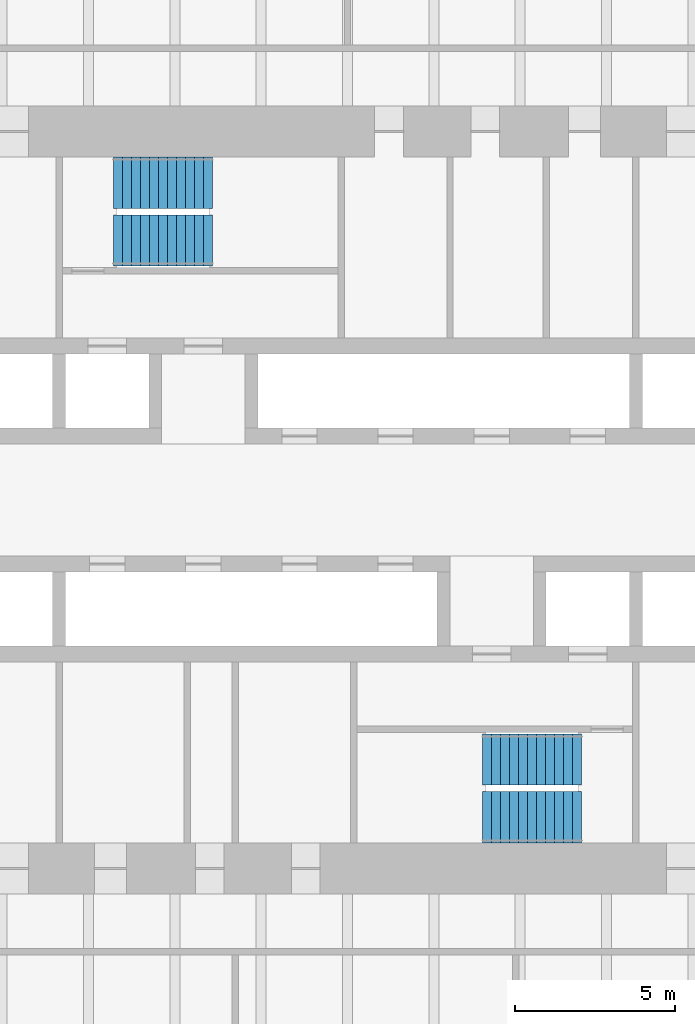
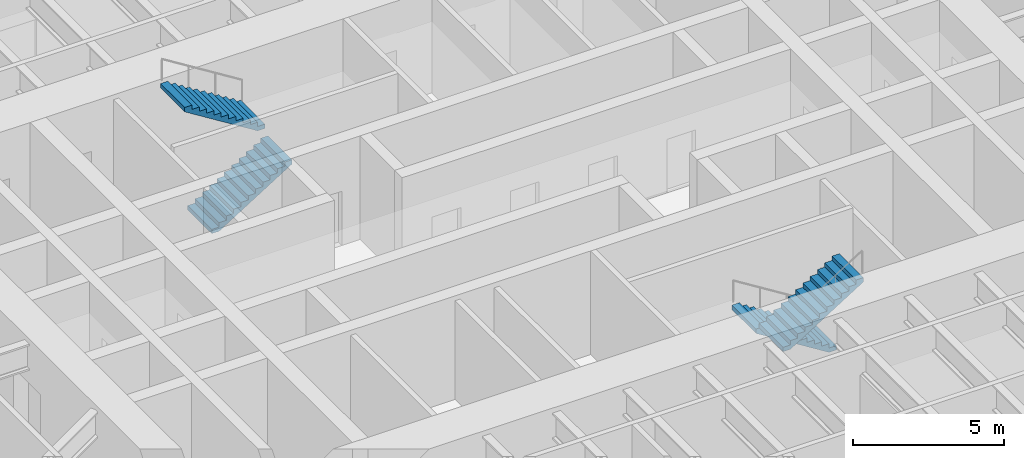
# One storey, part 20 of 23: 4 stair flights, 2 elements without a shape of their own.
"""IFC4 building model written with IfcOpenShell, lengths in metres."""

from ifc_helpers import new_model, si_unit, direction, frame, origin, place, context, subcontext, project, spatial, polyline, outline, extrude, material, type_object, element, aggregate, save


model = new_model("IFC4")

# Units and contexts
model_context = context("Model", 3, precision=1e-05, world=origin(), true_north=direction((0.0, 1.0)))
body_context = subcontext(model_context, "Body", "Model", "MODEL_VIEW")
ifc_project = project(units=[si_unit("LENGTHUNIT", "METRE"), si_unit("AREAUNIT", "SQUARE_METRE"), si_unit("VOLUMEUNIT", "CUBIC_METRE"), si_unit("PLANEANGLEUNIT", "RADIAN"), si_unit("MASSUNIT", "GRAM", prefix="KILO")], contexts=[model_context])

# Site, building, storey
site_placement = place(None, origin())
site = spatial("IfcSite", under=ifc_project, at=site_placement, CompositionType="ELEMENT")
building_placement = place(site_placement, origin())
building = spatial("IfcBuilding", under=site, at=building_placement, Name="Tarfa Lantern Tower", CompositionType="ELEMENT")
storey_placement = place(building_placement, frame((0.0, 0.0, 36.10009765625)))
storey = spatial("IfcBuildingStorey", under=building, at=storey_placement, Name="L07", CompositionType="ELEMENT", Elevation=36.10009765625)

# Stair, stair flights
ifc_material = material(Name="Concrete C40/50", Category="concrete")
stair_type = type_object("IfcStairType", Name="ST-T10 HALF-TURN STAIR 4200 RISE", PredefinedType="HALF_TURN_STAIR", material=ifc_material)
stair_1_placement = place(storey_placement, origin())
stair_1 = element("IfcStair", 1, at=stair_1_placement, inside=storey, type_object=stair_type, Name="Stair ST1", PredefinedType="HALF_TURN_STAIR")
stair_flight_type = type_object("IfcStairFlightType", Name="SF1 STAIR FLIGHT", PredefinedType="STRAIGHT", material=ifc_material)
stair_flight_1_placement = place(storey_placement, frame((-7.300048828125, 8.10009765625, 0.0), z_axis=(0.0, 0.0, 1.0), x_axis=(1.0, 0.0, 0.0)))
stair_flight_1 = element("IfcStairFlight", 2, at=stair_flight_1_placement, type_object=stair_flight_type, Name="ST1 flight 1", NumberOfRisers=12, NumberOfTreads=11, PredefinedType="STRAIGHT", RiserHeight=0.175, TreadLength=0.28, context=body_context, shape_type="SweptSolid", body=[
    extrude(outline(polyline([(0.0, 0.0), (0.0, 0.175048828125), (0.280029296875, 0.175048828125), (0.280029296875, 0.35009765625), (0.56005859375, 0.35009765625), (0.56005859375, 0.52490234375), (0.840087890625, 0.52490234375), (0.840087890625, 0.699951171875), (1.1201171875, 0.699951171875), (1.1201171875, 0.875), (1.39990234375, 0.875), (1.39990234375, 1.050048828125), (1.679931640625, 1.050048828125), (1.679931640625, 1.22509765625), (1.9599609375, 1.22509765625), (1.9599609375, 1.39990234375), (2.239990234375, 1.39990234375), (2.239990234375, 1.574951171875), (2.52001953125, 1.574951171875), (2.52001953125, 1.75), (2.800048828125, 1.75), (2.800048828125, 1.925048828125), (3.080078125, 1.925048828125), (3.080078125, 2.10009765625), (3.080078125, 1.748291015625), (0.28271484375, 0.0), (0.0, 0.0)])), frame((0.0, 0.800048828125, 0.0), z_axis=(0.0, -1.0, 0.0), x_axis=(1.0, 0.0, 0.0)), (0.0, 0.0, 1.0), 1.60009765625),
])
stair_flight_2_placement = place(storey_placement, frame((-4.219970703125, 9.89990234375, 2.099853515625), z_axis=(0.0, 0.0, 1.0), x_axis=(-1.0, 0.0, 0.0)))
stair_flight_2 = element("IfcStairFlight", 3, at=stair_flight_2_placement, type_object=stair_flight_type, Name="ST1 flight 2", NumberOfRisers=12, NumberOfTreads=11, PredefinedType="STRAIGHT", RiserHeight=0.175, TreadLength=0.28, context=body_context, shape_type="SweptSolid", body=[
    extrude(outline(polyline([(0.0, 0.0), (0.0, 0.175048828125), (0.280029296875, 0.175048828125), (0.280029296875, 0.35009765625), (0.56005859375, 0.35009765625), (0.56005859375, 0.52490234375), (0.840087890625, 0.52490234375), (0.840087890625, 0.699951171875), (1.1201171875, 0.699951171875), (1.1201171875, 0.875), (1.39990234375, 0.875), (1.39990234375, 1.050048828125), (1.679931640625, 1.050048828125), (1.679931640625, 1.22509765625), (1.9599609375, 1.22509765625), (1.9599609375, 1.39990234375), (2.239990234375, 1.39990234375), (2.239990234375, 1.574951171875), (2.52001953125, 1.574951171875), (2.52001953125, 1.75), (2.800048828125, 1.75), (2.800048828125, 1.925048828125), (3.080078125, 1.925048828125), (3.080078125, 2.10009765625), (3.080078125, 1.748291015625), (0.28271484375, 0.0), (0.0, 0.0)])), frame((0.0, 0.800048828125, 0.0), z_axis=(0.0, -1.0, 0.0), x_axis=(1.0, 0.0, 0.0)), (0.0, 0.0, 1.0), 1.60009765625),
])
aggregate(stair_1, [stair_flight_1, stair_flight_2])

stair_2_placement = place(storey_placement, origin())
stair_2 = element("IfcStair", 4, at=stair_2_placement, inside=storey, type_object=stair_type, Name="Stair ST2", PredefinedType="HALF_TURN_STAIR")
stair_flight_3_placement = place(storey_placement, frame((7.300048828125, -8.10009765625, 0.0), z_axis=(0.0, 0.0, 1.0), x_axis=(-1.0, 0.0, 0.0)))
stair_flight_3 = element("IfcStairFlight", 5, at=stair_flight_3_placement, type_object=stair_flight_type, Name="ST2 flight 1", NumberOfRisers=12, NumberOfTreads=11, PredefinedType="STRAIGHT", RiserHeight=0.175, TreadLength=0.28, context=body_context, shape_type="SweptSolid", body=[
    extrude(outline(polyline([(0.0, 0.0), (0.0, 0.175048828125), (0.280029296875, 0.175048828125), (0.280029296875, 0.35009765625), (0.56005859375, 0.35009765625), (0.56005859375, 0.52490234375), (0.840087890625, 0.52490234375), (0.840087890625, 0.699951171875), (1.1201171875, 0.699951171875), (1.1201171875, 0.875), (1.39990234375, 0.875), (1.39990234375, 1.050048828125), (1.679931640625, 1.050048828125), (1.679931640625, 1.22509765625), (1.9599609375, 1.22509765625), (1.9599609375, 1.39990234375), (2.239990234375, 1.39990234375), (2.239990234375, 1.574951171875), (2.52001953125, 1.574951171875), (2.52001953125, 1.75), (2.800048828125, 1.75), (2.800048828125, 1.925048828125), (3.080078125, 1.925048828125), (3.080078125, 2.10009765625), (3.080078125, 1.748291015625), (0.28271484375, 0.0), (0.0, 0.0)])), frame((0.0, 0.800048828125, 0.0), z_axis=(0.0, -1.0, 0.0), x_axis=(1.0, 0.0, 0.0)), (0.0, 0.0, 1.0), 1.60009765625),
])
stair_flight_4_placement = place(storey_placement, frame((4.219970703125, -9.89990234375, 2.099853515625), z_axis=(0.0, 0.0, 1.0), x_axis=(1.0, 0.0, 0.0)))
stair_flight_4 = element("IfcStairFlight", 6, at=stair_flight_4_placement, type_object=stair_flight_type, Name="ST2 flight 2", NumberOfRisers=12, NumberOfTreads=11, PredefinedType="STRAIGHT", RiserHeight=0.175, TreadLength=0.28, context=body_context, shape_type="SweptSolid", body=[
    extrude(outline(polyline([(0.0, 0.0), (0.0, 0.175048828125), (0.280029296875, 0.175048828125), (0.280029296875, 0.35009765625), (0.56005859375, 0.35009765625), (0.56005859375, 0.52490234375), (0.840087890625, 0.52490234375), (0.840087890625, 0.699951171875), (1.1201171875, 0.699951171875), (1.1201171875, 0.875), (1.39990234375, 0.875), (1.39990234375, 1.050048828125), (1.679931640625, 1.050048828125), (1.679931640625, 1.22509765625), (1.9599609375, 1.22509765625), (1.9599609375, 1.39990234375), (2.239990234375, 1.39990234375), (2.239990234375, 1.574951171875), (2.52001953125, 1.574951171875), (2.52001953125, 1.75), (2.800048828125, 1.75), (2.800048828125, 1.925048828125), (3.080078125, 1.925048828125), (3.080078125, 2.10009765625), (3.080078125, 1.748291015625), (0.28271484375, 0.0), (0.0, 0.0)])), frame((0.0, 0.800048828125, 0.0), z_axis=(0.0, -1.0, 0.0), x_axis=(1.0, 0.0, 0.0)), (0.0, 0.0, 1.0), 1.60009765625),
])
aggregate(stair_2, [stair_flight_3, stair_flight_4])

save(model, "model.ifc")
